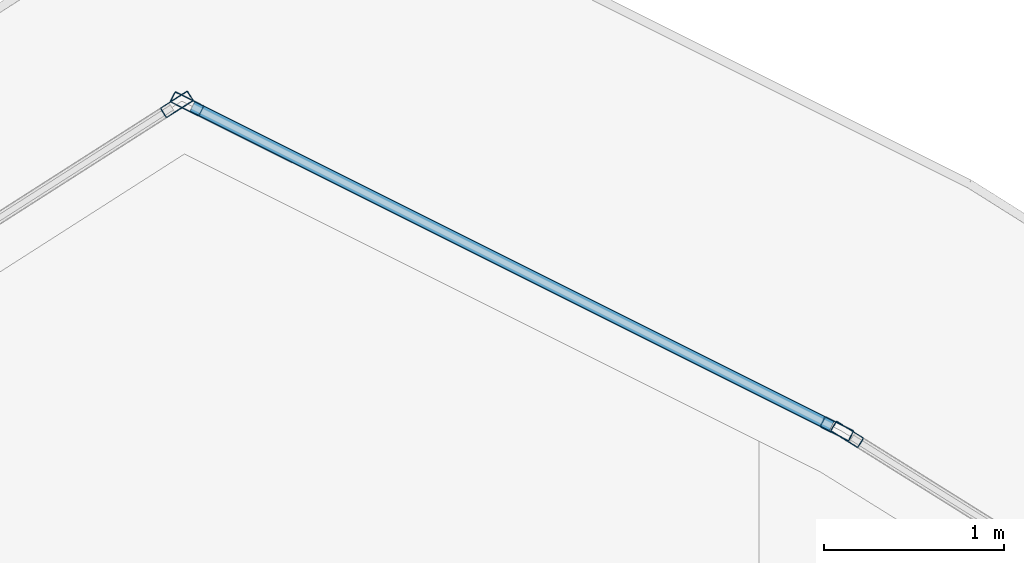
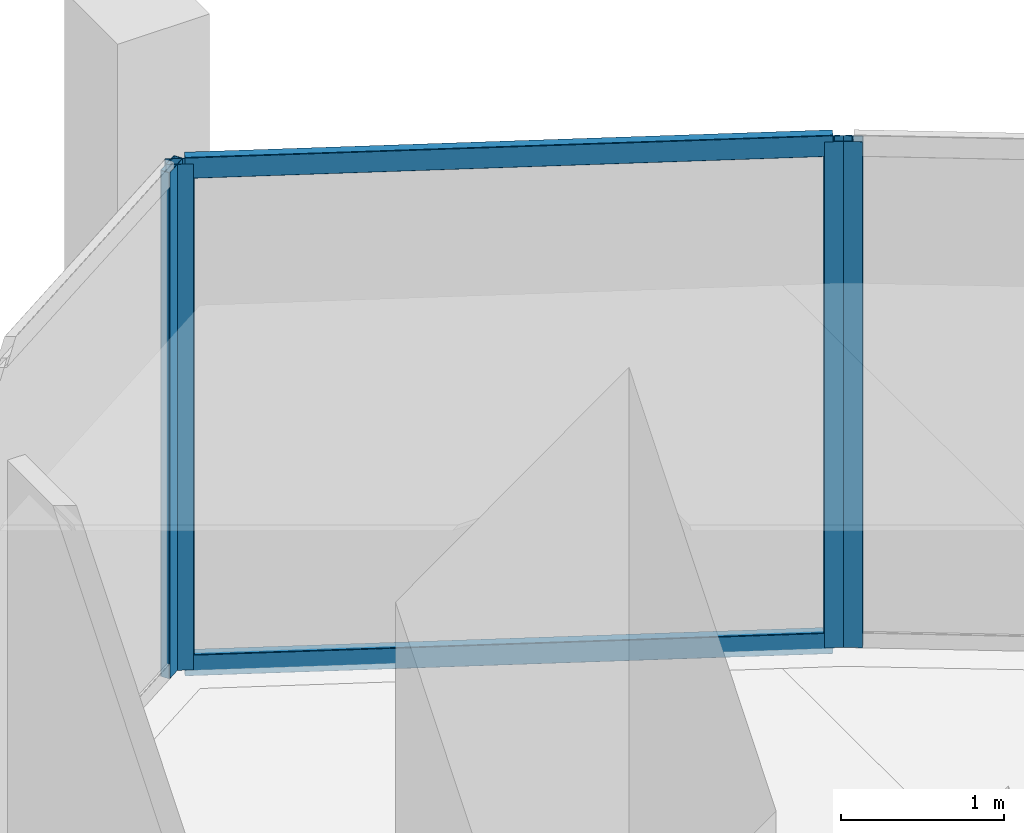
# One storey, part 22 of 36: 6 members, 3 elements without a shape of their own.
"""IFC4 building model written with IfcOpenShell, lengths in metres."""

from ifc_helpers import new_model, si_unit, direction, frame, origin, origin_2d, place, context, subcontext, project, spatial, hollow_rectangle, extrude, material, layer, layer_set, material_profile, profile_set, type_object, element, aggregate, save


model = new_model("IFC4")

# Units and contexts
model_context = context("Model", 3, precision=1e-05, world=origin(), true_north=direction((0.0, 1.0)))
body_context = subcontext(model_context, "Body", "Model", "MODEL_VIEW")
ifc_project = project(units=[si_unit("LENGTHUNIT", "METRE"), si_unit("AREAUNIT", "SQUARE_METRE"), si_unit("VOLUMEUNIT", "CUBIC_METRE"), si_unit("PLANEANGLEUNIT", "RADIAN"), si_unit("MASSUNIT", "GRAM", prefix="KILO")], contexts=[model_context])

# Site, building, storey
site_placement = place(None, origin())
site = spatial("IfcSite", under=ifc_project, at=site_placement, CompositionType="ELEMENT")
building_placement = place(site_placement, origin())
building = spatial("IfcBuilding", under=site, at=building_placement, Name="Qorvath Tower", CompositionType="ELEMENT")
storey_placement = place(building_placement, frame((0.0, 0.0, 241.5)))
storey = spatial("IfcBuildingStorey", under=building, at=storey_placement, Name="L56", CompositionType="ELEMENT", Elevation=241.5)

# Curtain wall, member
ifc_material_1 = material(Name="Anodised aluminium and triple low-E glass", Category="aluminium")
ifc_layer = layer(ifc_material_1, 0.179931640625)
ifc_layer_set = layer_set([ifc_layer], Name="CW-SYS-3")
curtain_wall_type = type_object("IfcCurtainWallType", Name="CW-SYS-3", PredefinedType="NOTDEFINED", material=ifc_layer_set)
curtain_wall_1_placement = place(storey_placement, origin())
curtain_wall_1 = element("IfcCurtainWall", 1, at=curtain_wall_1_placement, inside=storey, type_object=curtain_wall_type, Name="Curtain Wall CW-3 CW-T-L56-14.1", PredefinedType="NOTDEFINED")
ifc_material_2 = material(Name="Anodised aluminium 6063-T6", Category="aluminium")
ifc_material_profile_1 = material_profile(ifc_material_2, hollow_rectangle(XDim=0.06494140625, YDim=0.179931640625, WallThickness=0.00341796875, InnerFilletRadius=0.00341796875, OuterFilletRadius=0.007080078125, at=origin_2d()), Name="CWM 180x65")
ifc_profile_set_1 = profile_set([ifc_material_profile_1], Name="Anodised aluminium 6063-T6")
member_type_1 = type_object("IfcMemberType", Name="CWM-180", PredefinedType="MULLION", material=ifc_profile_set_1)
member_1_placement = place(storey_placement, frame((-13.741943359375, 23.832275390625, 0.0), z_axis=(0.0, 0.0, 1.0), x_axis=(-0.530487138359, -0.847692984538, 0.0)))
member_1 = element("IfcMember", 2, at=member_1_placement, type_object=member_type_1, Name="CW-3 mullion 2", PredefinedType="MULLION", context=body_context, shape_type="SweptSolid", body=[
    extrude(hollow_rectangle(XDim=0.06494140625, YDim=0.179931640625, WallThickness=0.00341796875, InnerFilletRadius=0.00341796875, OuterFilletRadius=0.007080078125, at=origin_2d()), origin(), (0.0, 0.0, 1.0), 3.780029296875),
])
aggregate(curtain_wall_1, [member_1])

# Curtain wall, members
curtain_wall_2_placement = place(storey_placement, origin())
curtain_wall_2 = element("IfcCurtainWall", 3, at=curtain_wall_2_placement, inside=storey, type_object=curtain_wall_type, Name="Curtain Wall CW-3 CW-T-L56-15.1", PredefinedType="NOTDEFINED")
member_2_placement = place(storey_placement, frame((-13.798583984375, 23.864013671875, 0.0), z_axis=(0.0, 0.0, 1.0), x_axis=(-0.447174591616, -0.894446691879, 0.0)))
member_2 = element("IfcMember", 4, at=member_2_placement, type_object=member_type_1, Name="CW-3 mullion 1", PredefinedType="MULLION", context=body_context, shape_type="SweptSolid", body=[
    extrude(hollow_rectangle(XDim=0.06494140625, YDim=0.179931640625, WallThickness=0.00341796875, InnerFilletRadius=0.00341796875, OuterFilletRadius=0.007080078125, at=origin_2d()), origin(), (0.0, 0.0, 1.0), 3.780029296875),
])
member_3_placement = place(storey_placement, frame((-17.40966796875, 25.669189453125, 0.0), z_axis=(0.0, 0.0, 1.0), x_axis=(-0.447174591616, -0.894446691879, 0.0)))
member_3 = element("IfcMember", 5, at=member_3_placement, type_object=member_type_1, Name="CW-3 mullion 2", PredefinedType="MULLION", context=body_context, shape_type="SweptSolid", body=[
    extrude(hollow_rectangle(XDim=0.06494140625, YDim=0.179931640625, WallThickness=0.00341796875, InnerFilletRadius=0.00341796875, OuterFilletRadius=0.007080078125, at=origin_2d()), origin(), (0.0, 0.0, 1.0), 3.780029296875),
])

# Curtain wall, member
curtain_wall_3_placement = place(storey_placement, origin())
curtain_wall_3 = element("IfcCurtainWall", 6, at=curtain_wall_3_placement, inside=storey, type_object=curtain_wall_type, Name="Curtain Wall CW-3 CW-T-L56-16.1", PredefinedType="NOTDEFINED")
member_4_placement = place(storey_placement, frame((-17.466064453125, 25.666259765625, 0.0), z_axis=(0.0, 0.0, 1.0), x_axis=(0.538527235977, -0.842608103516, 0.0)))
member_4 = element("IfcMember", 7, at=member_4_placement, type_object=member_type_1, Name="CW-3 mullion 1", PredefinedType="MULLION", context=body_context, shape_type="SweptSolid", body=[
    extrude(hollow_rectangle(XDim=0.06494140625, YDim=0.179931640625, WallThickness=0.00341796875, InnerFilletRadius=0.00341796875, OuterFilletRadius=0.007080078125, at=origin_2d()), origin(), (0.0, 0.0, 1.0), 3.780029296875),
])
aggregate(curtain_wall_3, [member_4])

# Member
ifc_material_3 = material(Name="Anodised aluminium 6063-T6", Category="aluminium")
ifc_material_profile_2 = material_profile(ifc_material_3, hollow_rectangle(XDim=0.06494140625, YDim=0.159912109375, WallThickness=0.00341796875, InnerFilletRadius=0.00341796875, OuterFilletRadius=0.007080078125, at=origin_2d()), Name="CWT 160x65")
ifc_profile_set_2 = profile_set([ifc_material_profile_2], Name="Anodised aluminium 6063-T6")
member_type_2 = type_object("IfcMemberType", Name="CWT-160", PredefinedType="USERDEFINED", material=ifc_profile_set_2)
member_5_placement = place(storey_placement, frame((-13.82763671875, 23.87841796875, 0.032470703125), z_axis=(-0.894439482828, 0.447189010998, 0.0), x_axis=(-0.447189010998, -0.894439482828, 0.0)))
member_5 = element("IfcMember", 8, at=member_5_placement, type_object=member_type_2, Name="CW-3 transom 1.1", ObjectType="TRANSOM", PredefinedType="USERDEFINED", context=body_context, shape_type="SweptSolid", body=[
    extrude(hollow_rectangle(XDim=0.06494140625, YDim=0.159912109375, WallThickness=0.00341796875, InnerFilletRadius=0.00341796875, OuterFilletRadius=0.007080078125, at=origin_2d()), origin(), (0.0, 0.0, 1.0), 3.972412109375),
])

member_6_placement = place(storey_placement, frame((-13.82763671875, 23.87841796875, 3.74755859375), z_axis=(-0.894439482828, 0.447189010998, 0.0), x_axis=(-0.447189010998, -0.894439482828, 0.0)))
member_6 = element("IfcMember", 9, at=member_6_placement, type_object=member_type_2, Name="CW-3 transom 1.2", ObjectType="TRANSOM", PredefinedType="USERDEFINED", context=body_context, shape_type="SweptSolid", body=[
    extrude(hollow_rectangle(XDim=0.06494140625, YDim=0.159912109375, WallThickness=0.00341796875, InnerFilletRadius=0.00341796875, OuterFilletRadius=0.007080078125, at=origin_2d()), origin(), (0.0, 0.0, 1.0), 3.972412109375),
])

aggregate(curtain_wall_2, [member_2, member_3, member_5, member_6])

save(model, "model.ifc")
